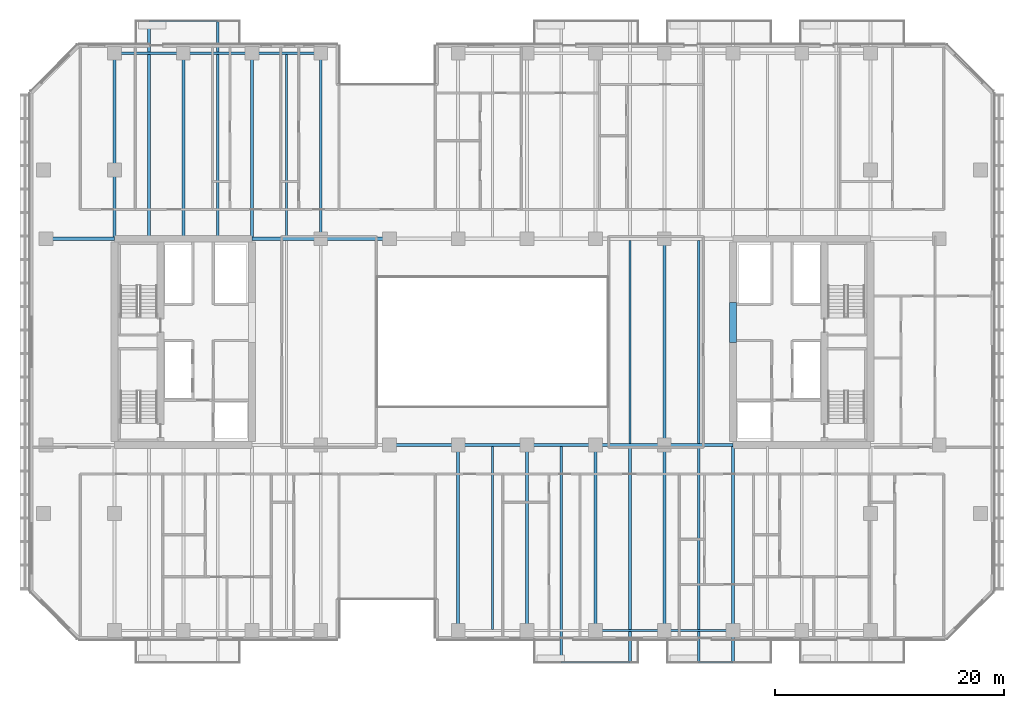
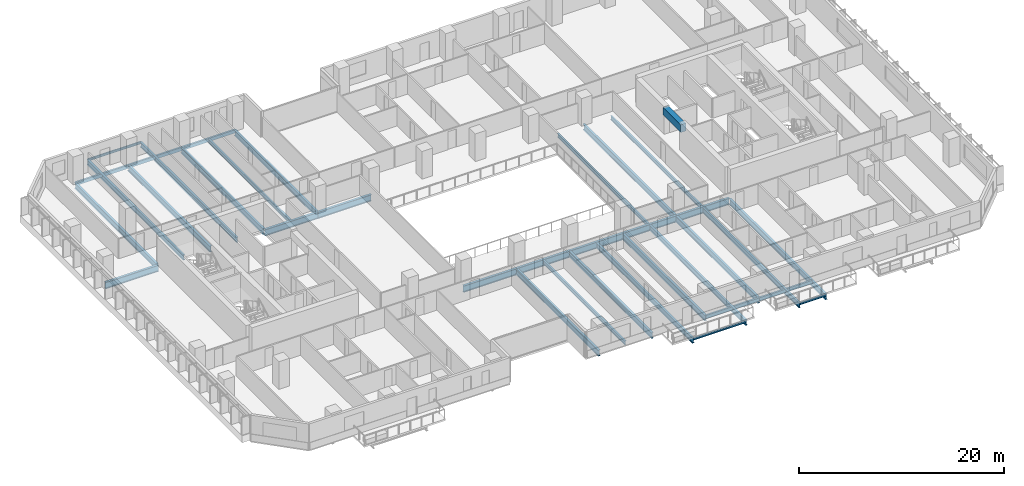
# One storey, part 5 of 26: 36 beams.
"""IFC4 building model written with IfcOpenShell, lengths in metres."""

from ifc_helpers import new_model, si_unit, direction, frame, origin, origin_2d, place, context, subcontext, project, spatial, rectangle, hollow_rectangle, i_section, extrude, material, material_profile, profile_set, type_object, element, save


model = new_model("IFC4")

# Units and contexts
model_context = context("Model", 3, precision=1e-05, world=origin(), true_north=direction((0.0, 1.0)))
body_context = subcontext(model_context, "Body", "Model", "MODEL_VIEW")
ifc_project = project(units=[si_unit("LENGTHUNIT", "METRE"), si_unit("AREAUNIT", "SQUARE_METRE"), si_unit("VOLUMEUNIT", "CUBIC_METRE"), si_unit("PLANEANGLEUNIT", "RADIAN"), si_unit("MASSUNIT", "GRAM", prefix="KILO")], contexts=[model_context])

# Site, building, storey
site_placement = place(None, origin())
site = spatial("IfcSite", under=ifc_project, at=site_placement, CompositionType="ELEMENT")
building_placement = place(site_placement, origin())
building = spatial("IfcBuilding", under=site, at=building_placement, Name="Tanjung Sevakor Pilgrim Tower", CompositionType="ELEMENT")
storey_placement = place(building_placement, frame((0.0, 0.0, 48.840087890625)))
storey = spatial("IfcBuildingStorey", under=building, at=storey_placement, Name="L13", CompositionType="ELEMENT", Elevation=48.840087890625)

# Beams
ifc_material_1 = material(Name="Steel S355J2", Category="steel")
ifc_material_profile_1 = material_profile(ifc_material_1, i_section(OverallWidth=0.26806640625, OverallDepth=0.769775390625, WebThickness=0.015625, FlangeThickness=0.025390625, FilletRadius=0.0166015625, at=origin_2d()))
ifc_profile_set_1 = profile_set([ifc_material_profile_1], Name="Steel S355J2")
beam_type_1 = type_object("IfcBeamType", Name="BM-B-G1-UB_762x267x197", PredefinedType="BEAM", material=ifc_profile_set_1)
for number, where, z_axis, x_axis, name in (
    (1, (48.0, 24.60009765625, -0.60498046875), (1.0, 0.0, 0.0), (0.0, 1.0, 0.0), "L13 Primary Floor Girder MAIN Y246-04"),
    (2, (54.0, 24.60009765625, -0.60498046875), (1.0, 0.0, 0.0), (0.0, 1.0, 0.0), "L13 Primary Floor Girder MAIN Y246-05"),
    (3, (60.0, 24.60009765625, -0.60498046875), (1.0, 0.0, 0.0), (0.0, 1.0, 0.0), "L13 Primary Floor Girder MAIN Y246-06"),
    (4, (66.0, 24.60009765625, -0.60498046875), (1.0, 0.0, 0.0), (0.0, 1.0, 0.0), "L13 Primary Floor Girder MAIN Y246-07"),
    (5, (72.0, 24.60009765625, -0.60498046875), (1.0, 0.0, 0.0), (0.0, 1.0, 0.0), "L13 Primary Floor Girder MAIN Y246-08"),
    (6, (18.0, 42.60009765625, -0.60498046875), (1.0, 0.0, 0.0), (0.0, 1.0, 0.0), "L13 Primary Floor Girder MAIN Y426-01"),
    (7, (36.0, 42.60009765625, -0.60498046875), (1.0, 0.0, 0.0), (0.0, 1.0, 0.0), "L13 Primary Floor Girder MAIN Y426-02"),
    (8, (42.0, 42.60009765625, -0.60498046875), (1.0, 0.0, 0.0), (0.0, 1.0, 0.0), "L13 Primary Floor Girder MAIN Y426-03"),
):
    element("IfcBeam", number, at=place(storey_placement, frame(where, z_axis=z_axis, x_axis=x_axis)), inside=storey, type_object=beam_type_1, Name=name, PredefinedType="BEAM", context=body_context, shape_type="SweptSolid", body=[
        extrude(i_section(OverallWidth=0.26806640625, OverallDepth=0.769775390625, WebThickness=0.015625, FlangeThickness=0.025390625, FilletRadius=0.0166015625, at=origin_2d()), origin(), (0.0, 0.0, 1.0), 6.0),
    ])
ifc_material_2 = material(Name="Steel S355J2", Category="steel")
ifc_material_profile_2 = material_profile(ifc_material_2, i_section(OverallWidth=0.25439453125, OverallDepth=0.6875, WebThickness=0.01318359375, FlangeThickness=0.02099609375, FilletRadius=0.01513671875, at=origin_2d()))
ifc_profile_set_2 = profile_set([ifc_material_profile_2], Name="Steel S355J2")
beam_type_2 = type_object("IfcBeamType", Name="BM-B-G2-UB_686x254x152", PredefinedType="BEAM", material=ifc_profile_set_2)
for number, where, z_axis, x_axis, name in (
    (9, (24.0, 42.73388671875, -0.56396484375), (0.0, 1.0, 0.0), (-1.0, 0.0, 0.0), "L13 MAIN Girder 002"),
    (10, (30.0, 42.73388671875, -0.56396484375), (0.0, 1.0, 0.0), (-1.0, 0.0, 0.0), "L13 MAIN Girder 004"),
    (11, (36.0, 42.73388671875, -0.56396484375), (0.0, 1.0, 0.0), (-1.0, 0.0, 0.0), "L13 MAIN Girder 006"),
):
    element("IfcBeam", number, at=place(storey_placement, frame(where, z_axis=z_axis, x_axis=x_axis)), inside=storey, type_object=beam_type_2, Name=name, PredefinedType="BEAM", context=body_context, shape_type="SweptSolid", body=[
        extrude(i_section(OverallWidth=0.25439453125, OverallDepth=0.6875, WebThickness=0.01318359375, FlangeThickness=0.02099609375, FilletRadius=0.01513671875, at=origin_2d()), origin(), (0.0, 0.0, 1.0), 16.066162109375),
    ])
beam_1_placement = place(storey_placement, frame((42.0, 42.60009765625, -0.56396484375), z_axis=(0.0, 1.0, 0.0), x_axis=(-1.0, 0.0, 0.0)))
element("IfcBeam", 12, at=beam_1_placement, inside=storey, type_object=beam_type_2, Name="L13 MAIN Girder 012", PredefinedType="BEAM", context=body_context, shape_type="SweptSolid", body=[
    extrude(i_section(OverallWidth=0.25439453125, OverallDepth=0.6875, WebThickness=0.01318359375, FlangeThickness=0.02099609375, FilletRadius=0.01513671875, at=origin_2d()), origin(), (0.0, 0.0, 1.0), 16.199951171875),
])
for number, where, z_axis, x_axis, name in (
    (13, (54.0, 8.39990234375, -0.56396484375), (0.0, 1.0, 0.0), (-1.0, 0.0, 0.0), "L13 MAIN Girder 013"),
    (14, (60.0, 8.39990234375, -0.56396484375), (0.0, 1.0, 0.0), (-1.0, 0.0, 0.0), "L13 MAIN Girder 017"),
    (15, (66.0, 8.39990234375, -0.56396484375), (0.0, 1.0, 0.0), (-1.0, 0.0, 0.0), "L13 MAIN Girder 019"),
    (16, (72.0, 8.39990234375, -0.56396484375), (0.0, 1.0, 0.0), (-1.0, 0.0, 0.0), "L13 MAIN Girder 022"),
):
    element("IfcBeam", number, at=place(storey_placement, frame(where, z_axis=z_axis, x_axis=x_axis)), inside=storey, type_object=beam_type_2, Name=name, PredefinedType="BEAM", context=body_context, shape_type="SweptSolid", body=[
        extrude(i_section(OverallWidth=0.25439453125, OverallDepth=0.6875, WebThickness=0.01318359375, FlangeThickness=0.02099609375, FilletRadius=0.01513671875, at=origin_2d()), origin(), (0.0, 0.0, 1.0), 16.2001953125),
    ])
beam_2_placement = place(storey_placement, frame((72.0, 24.60009765625, -0.56396484375), z_axis=(0.0, 1.0, 0.0), x_axis=(-1.0, 0.0, 0.0)))
element("IfcBeam", 17, at=beam_2_placement, inside=storey, type_object=beam_type_2, Name="L13 MAIN Girder 023", PredefinedType="BEAM", context=body_context, shape_type="SweptSolid", body=[
    extrude(i_section(OverallWidth=0.25439453125, OverallDepth=0.6875, WebThickness=0.01318359375, FlangeThickness=0.02099609375, FilletRadius=0.01513671875, at=origin_2d()), origin(), (0.0, 0.0, 1.0), 18.0),
])
beam_3_placement = place(storey_placement, frame((78.0, 24.466064453125, -0.56396484375), z_axis=(0.0, -1.0, 0.0), x_axis=(1.0, 0.0, 0.0)))
element("IfcBeam", 18, at=beam_3_placement, inside=storey, type_object=beam_type_2, Name="L13 Balcony Cantilever Beam MAIN-S3-2", PredefinedType="BEAM", context=body_context, shape_type="SweptSolid", body=[
    extrude(i_section(OverallWidth=0.25439453125, OverallDepth=0.6875, WebThickness=0.01318359375, FlangeThickness=0.02099609375, FilletRadius=0.01513671875, at=origin_2d()), origin(), (0.0, 0.0, 1.0), 18.845947265625),
])
ifc_material_3 = material(Name="Steel S355J2", Category="steel")
ifc_material_profile_3 = material_profile(ifc_material_3, i_section(OverallWidth=0.22900390625, OverallDepth=0.6123046875, WebThickness=0.011962890625, FlangeThickness=0.01953125, FilletRadius=0.0126953125, at=origin_2d()))
ifc_profile_set_3 = profile_set([ifc_material_profile_3], Name="Steel S355J2")
beam_type_3 = type_object("IfcBeamType", Name="BM-B-G4-UB_610x229x125", PredefinedType="BEAM", material=ifc_profile_set_3)
for number, where, z_axis, x_axis, name in (
    (19, (27.0, 42.73388671875, -0.526123046875), (0.0, 1.0, 0.0), (-1.0, 0.0, 0.0), "L13 Balcony Cantilever Beam MAIN-N1-1"),
    (20, (33.0, 42.73388671875, -0.526123046875), (0.0, 1.0, 0.0), (-1.0, 0.0, 0.0), "L13 Balcony Cantilever Beam MAIN-N1-2"),
):
    element("IfcBeam", number, at=place(storey_placement, frame(where, z_axis=z_axis, x_axis=x_axis)), inside=storey, type_object=beam_type_3, Name=name, PredefinedType="BEAM", context=body_context, shape_type="SweptSolid", body=[
        extrude(i_section(OverallWidth=0.22900390625, OverallDepth=0.6123046875, WebThickness=0.011962890625, FlangeThickness=0.01953125, FilletRadius=0.0126953125, at=origin_2d()), origin(), (0.0, 0.0, 1.0), 18.84619140625),
    ])
for number, where, z_axis, x_axis, name in (
    (21, (63.0, 24.466064453125, -0.526123046875), (0.0, -1.0, 0.0), (1.0, 0.0, 0.0), "L13 Balcony Cantilever Beam MAIN-S2-1"),
    (22, (69.0, 24.466064453125, -0.526123046875), (0.0, -1.0, 0.0), (1.0, 0.0, 0.0), "L13 Balcony Cantilever Beam MAIN-S2-2"),
    (23, (75.0, 24.466064453125, -0.526123046875), (0.0, -1.0, 0.0), (1.0, 0.0, 0.0), "L13 Balcony Cantilever Beam MAIN-S3-1"),
):
    element("IfcBeam", number, at=place(storey_placement, frame(where, z_axis=z_axis, x_axis=x_axis)), inside=storey, type_object=beam_type_3, Name=name, PredefinedType="BEAM", context=body_context, shape_type="SweptSolid", body=[
        extrude(i_section(OverallWidth=0.22900390625, OverallDepth=0.6123046875, WebThickness=0.011962890625, FlangeThickness=0.01953125, FilletRadius=0.0126953125, at=origin_2d()), origin(), (0.0, 0.0, 1.0), 18.845947265625),
    ])
ifc_material_4 = material(Name="Steel S355J2", Category="steel")
ifc_material_profile_4 = material_profile(ifc_material_4, i_section(OverallWidth=0.19140625, OverallDepth=0.4599609375, WebThickness=0.010009765625, FlangeThickness=0.01611328125, FilletRadius=0.01025390625, at=origin_2d()))
ifc_profile_set_4 = profile_set([ifc_material_profile_4], Name="Steel S355J2")
beam_type_4 = type_object("IfcBeamType", Name="BM-B-J2-UB_457x191x82", PredefinedType="JOIST", material=ifc_profile_set_4)
for number, where, z_axis, x_axis, name in (
    (24, (39.0, 42.73388671875, -0.4501953125), (0.0, 1.0, 0.0), (-1.0, 0.0, 0.0), "L13 MAIN Joist 009"),
    (25, (57.0, 8.5, -0.4501953125), (0.0, 1.0, 0.0), (-1.0, 0.0, 0.0), "L13 MAIN Joist 015"),
):
    element("IfcBeam", number, at=place(storey_placement, frame(where, z_axis=z_axis, x_axis=x_axis)), inside=storey, type_object=beam_type_4, Name=name, PredefinedType="JOIST", context=body_context, shape_type="SweptSolid", body=[
        extrude(i_section(OverallWidth=0.19140625, OverallDepth=0.4599609375, WebThickness=0.010009765625, FlangeThickness=0.01611328125, FilletRadius=0.01025390625, at=origin_2d()), origin(), (0.0, 0.0, 1.0), 15.966064453125),
    ])
for number, where, z_axis, x_axis, name in (
    (26, (69.0, 24.73388671875, -0.4501953125), (0.0, 1.0, 0.0), (-1.0, 0.0, 0.0), "L13 MAIN Joist 021"),
    (27, (75.0, 24.73388671875, -0.4501953125), (0.0, 1.0, 0.0), (-1.0, 0.0, 0.0), "L13 MAIN Joist 025"),
):
    element("IfcBeam", number, at=place(storey_placement, frame(where, z_axis=z_axis, x_axis=x_axis)), inside=storey, type_object=beam_type_4, Name=name, PredefinedType="JOIST", context=body_context, shape_type="SweptSolid", body=[
        extrude(i_section(OverallWidth=0.19140625, OverallDepth=0.4599609375, WebThickness=0.010009765625, FlangeThickness=0.01611328125, FilletRadius=0.01025390625, at=origin_2d()), origin(), (0.0, 0.0, 1.0), 17.732177734375),
    ])
ifc_material_5 = material(Name="Steel S355J2", Category="steel")
ifc_material_profile_5 = material_profile(ifc_material_5, i_section(OverallWidth=0.146484375, OverallDepth=0.256103515625, WebThickness=0.00634765625, FlangeThickness=0.010986328125, FilletRadius=0.007568359375, at=origin_2d()))
ifc_profile_set_5 = profile_set([ifc_material_profile_5], Name="Steel S355J2")
beam_type_5 = type_object("IfcBeamType", Name="BM-B-J6-UB_254x146x37", PredefinedType="JOIST", material=ifc_profile_set_5)
for number, where, z_axis, x_axis, name in (
    (28, (27.0, 61.580078125, -0.328125), (1.0, 0.0, 0.0), (0.0, 1.0, 0.0), "L13 Balcony Rim Tie MAIN-N1"),
    (29, (63.0, 5.6201171875, -0.328125), (1.0, 0.0, 0.0), (0.0, 1.0, 0.0), "L13 Balcony Rim Tie MAIN-S2"),
):
    element("IfcBeam", number, at=place(storey_placement, frame(where, z_axis=z_axis, x_axis=x_axis)), inside=storey, type_object=beam_type_5, Name=name, PredefinedType="JOIST", context=body_context, shape_type="SweptSolid", body=[
        extrude(i_section(OverallWidth=0.146484375, OverallDepth=0.256103515625, WebThickness=0.00634765625, FlangeThickness=0.010986328125, FilletRadius=0.007568359375, at=origin_2d()), origin(), (0.0, 0.0, 1.0), 6.0),
    ])
beam_4_placement = place(storey_placement, frame((75.0, 5.6201171875, -0.328125), z_axis=(1.0, 0.0, 0.0), x_axis=(0.0, 1.0, 0.0)))
element("IfcBeam", 30, at=beam_4_placement, inside=storey, type_object=beam_type_5, Name="L13 Balcony Rim Tie MAIN-S3", PredefinedType="JOIST", context=body_context, shape_type="SweptSolid", body=[
    extrude(i_section(OverallWidth=0.146484375, OverallDepth=0.256103515625, WebThickness=0.00634765625, FlangeThickness=0.010986328125, FilletRadius=0.007568359375, at=origin_2d()), origin(), (0.0, 0.0, 1.0), 3.0),
])
ifc_material_6 = material(Name="Concrete C60/75", Category="concrete")
ifc_material_profile_6 = material_profile(ifc_material_6, rectangle(XDim=0.60009765625, YDim=0.89990234375, at=origin_2d()))
ifc_profile_set_6 = profile_set([ifc_material_profile_6], Name="Concrete C60/75")
beam_type_6 = type_object("IfcBeamType", Name="BM-B-LN1-RC-BM_600x900", PredefinedType="LINTEL", material=ifc_profile_set_6)
beam_5_placement = place(storey_placement, frame((78.0, 33.550048828125, 2.6298828125), z_axis=(0.0, 1.0, 0.0), x_axis=(-1.0, 0.0, 0.0)))
element("IfcBeam", 31, at=beam_5_placement, inside=storey, type_object=beam_type_6, Name="L13 E Core Coupling Lintel", PredefinedType="LINTEL", context=body_context, shape_type="SweptSolid", body=[
    extrude(rectangle(XDim=0.60009765625, YDim=0.89990234375, at=origin_2d()), origin(), (0.0, 0.0, 1.0), 3.5),
])
ifc_material_7 = material(Name="Steel S355J2", Category="steel")
ifc_material_profile_7 = material_profile(ifc_material_7, hollow_rectangle(XDim=0.199951171875, YDim=0.39990234375, WallThickness=0.01611328125, at=origin_2d()))
ifc_profile_set_7 = profile_set([ifc_material_profile_7], Name="Steel S355J2")
beam_type_7 = type_object("IfcBeamType", Name="BM-B-SP2-RHS_400x200x16", PredefinedType="SPANDREL", material=ifc_profile_set_7)
for number, where, z_axis, x_axis, name in (
    (32, (24.0, 58.800048828125, -0.420166015625), (1.0, 0.0, 0.0), (0.0, 1.0, 0.0), "L13 Spandrel MAIN N-02"),
    (33, (30.0, 58.800048828125, -0.420166015625), (1.0, 0.0, 0.0), (0.0, 1.0, 0.0), "L13 Spandrel MAIN N-04"),
    (34, (36.0, 58.800048828125, -0.420166015625), (1.0, 0.0, 0.0), (0.0, 1.0, 0.0), "L13 Spandrel MAIN N-06"),
    (35, (66.0, 8.39990234375, -0.420166015625), (1.0, 0.0, 0.0), (0.0, 1.0, 0.0), "L13 Spandrel MAIN S-11"),
    (36, (72.0, 8.39990234375, -0.420166015625), (1.0, 0.0, 0.0), (0.0, 1.0, 0.0), "L13 Spandrel MAIN S-13"),
):
    element("IfcBeam", number, at=place(storey_placement, frame(where, z_axis=z_axis, x_axis=x_axis)), inside=storey, type_object=beam_type_7, Name=name, PredefinedType="SPANDREL", context=body_context, shape_type="SweptSolid", body=[
        extrude(hollow_rectangle(XDim=0.199951171875, YDim=0.39990234375, WallThickness=0.01611328125, at=origin_2d()), origin(), (0.0, 0.0, 1.0), 6.0),
    ])

save(model, "model.ifc")
